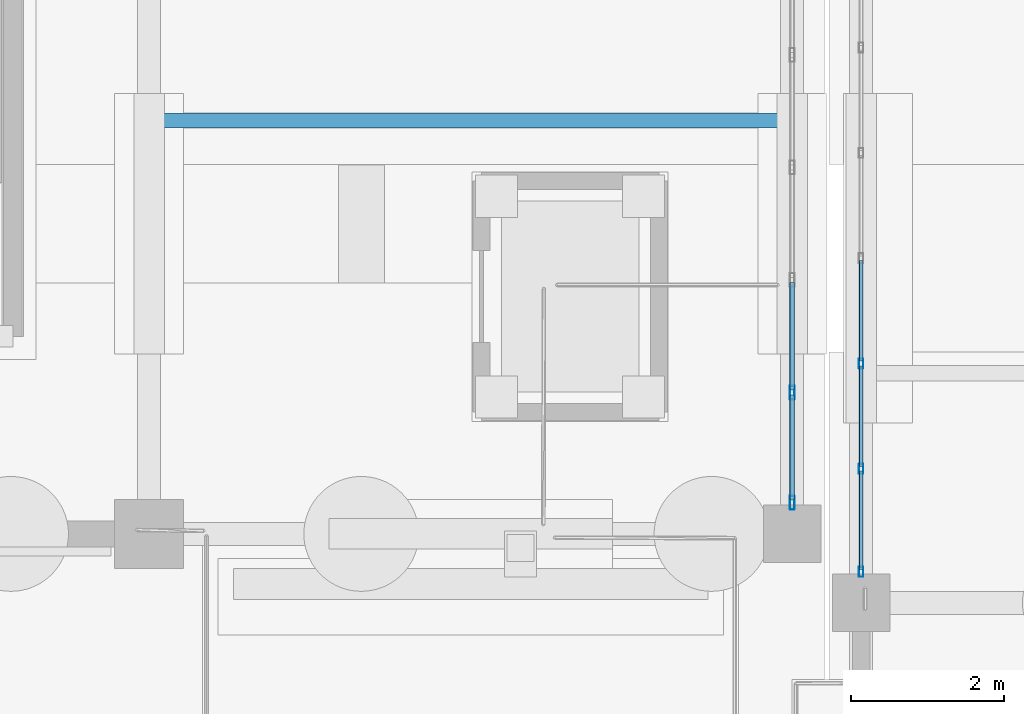
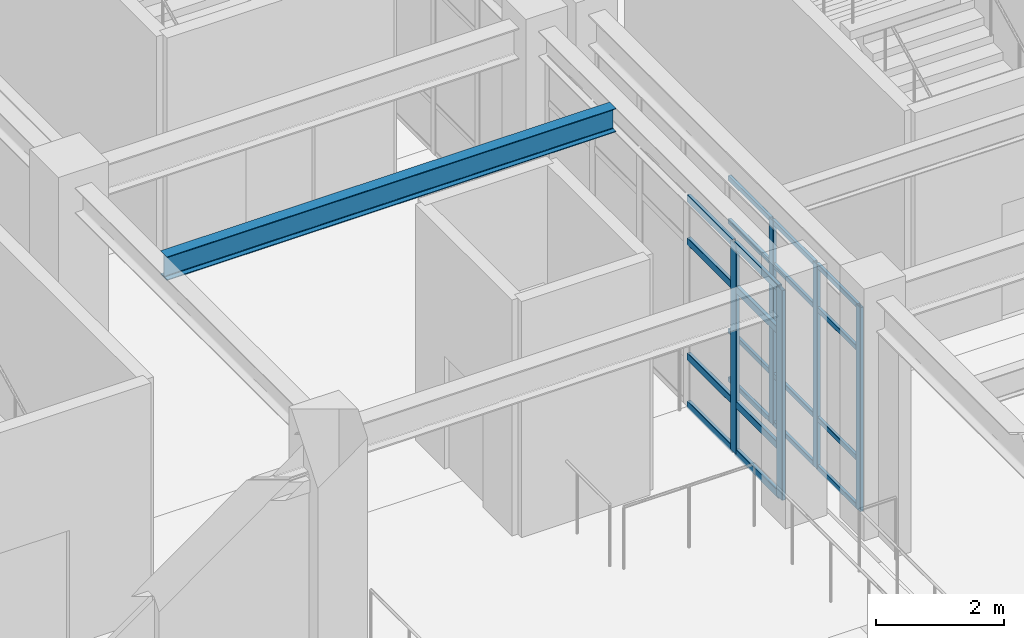
# One storey, part 66 of 139: 25 members, 1 beam, 2 elements without a shape of their own.
"""IFC4 building model written with IfcOpenShell, lengths in metres."""

import ifcopenshell
import ifcopenshell.guid

model = None  # the IFC model being written
_history = None  # IfcOwnerHistory: only IFC2X3 demands one
_inside = {}  # id of a spatial element -> (the spatial element, [elements in it])
_under = {}  # id of a project, library or spatial element -> (it, [spatial elements below it])
_declared = {}  # id of a project -> (the project, [libraries it declares])
_typed = {}  # id of a type object -> (the type object, [elements of that type])
_made_of = {}  # id of a material, layer set ... -> (it, [elements and type objects made of it])


def new_model(schema):
    """Start an empty IFC model of exactly this schema.

    Asked for "IFC4X3", IfcOpenShell would pick the latest addendum, in which some entities
    have other attributes; the version numbers below select the first issue.
    IFC2X3 requires an IfcOwnerHistory on every rooted entity: one is made here for all.
    """
    global model, _history
    if schema == "IFC4X3":
        model = ifcopenshell.file(schema_version=(4, 3, 0, 0))
    else:
        model = ifcopenshell.file(schema=schema)
    _inside.clear()
    _under.clear()
    _declared.clear()
    _typed.clear()
    _made_of.clear()
    _history = None
    if model.schema == "IFC2X3":
        org = make("IfcOrganization", Name="unknown")
        user = make(
            "IfcPersonAndOrganization",
            ThePerson=make("IfcPerson", FamilyName="unknown"),
            TheOrganization=org,
        )
        app = make(
            "IfcApplication",
            ApplicationDeveloper=org,
            Version="unknown",
            ApplicationFullName="unknown",
            ApplicationIdentifier="unknown",
        )
        _history = make(
            "IfcOwnerHistory",
            OwningUser=user,
            OwningApplication=app,
            ChangeAction="ADDED",
            CreationDate=0,
        )
    return model


def make(cls, **values):
    """One entity of the class cls with the attributes given. An attribute that is None is left unset."""
    return model.create_entity(
        cls, **{name: value for name, value in values.items() if value is not None}
    )


def rooted(cls, **values):
    """An entity with a GlobalId (a new one), such as an element, a storey or a relation."""
    return make(cls, GlobalId=ifcopenshell.guid.new(), OwnerHistory=_history, **values)


def si_unit(unit_type, name, prefix=None):
    """IfcSIUnit, for example si_unit("LENGTHUNIT", "METRE", prefix="MILLI")."""
    return make("IfcSIUnit", UnitType=unit_type, Prefix=prefix, Name=name)


def assignment(units):
    """IfcUnitAssignment: the units of a project."""
    return None if units is None else make("IfcUnitAssignment", Units=units)


def point(xyz):
    """IfcCartesianPoint."""
    return None if xyz is None else make("IfcCartesianPoint", Coordinates=xyz)


def direction(xyz):
    """IfcDirection."""
    return None if xyz is None else make("IfcDirection", DirectionRatios=xyz)


def frame(location, z_axis=None, x_axis=None):
    """IfcAxis2Placement3D, a coordinate frame: its origin and axes. An axis left out is left unset."""
    return make(
        "IfcAxis2Placement3D",
        Location=point(location),
        Axis=direction(z_axis),
        RefDirection=direction(x_axis),
    )


def frame_2d(location, x_axis=None):
    """IfcAxis2Placement2D, a coordinate frame in the plane: its origin and x axis."""
    return make(
        "IfcAxis2Placement2D", Location=point(location), RefDirection=direction(x_axis)
    )


def origin():
    """The frame at (0, 0, 0) with its axes left unset."""
    return frame((0.0, 0.0, 0.0))


def origin_2d():
    """The frame at (0, 0) in the plane with its x axis left unset."""
    return frame_2d((0.0, 0.0))


def place(relative_to, where):
    """IfcLocalPlacement: puts the frame where relative to a parent placement (None: the world)."""
    return make(
        "IfcLocalPlacement", PlacementRelTo=relative_to, RelativePlacement=where
    )


def context(
    kind, dimensions, precision=None, world=None, true_north=None, identifier=None
):
    """IfcGeometricRepresentationContext, for example the 3D "Model" context."""
    return make(
        "IfcGeometricRepresentationContext",
        ContextIdentifier=identifier,
        ContextType=kind,
        CoordinateSpaceDimension=dimensions,
        Precision=precision,
        WorldCoordinateSystem=world,
        TrueNorth=true_north,
    )


def subcontext(parent, identifier, kind, view, scale=None):
    """IfcGeometricRepresentationSubContext, for example "Body" below "Model"."""
    return make(
        "IfcGeometricRepresentationSubContext",
        ContextIdentifier=identifier,
        ContextType=kind,
        ParentContext=parent,
        TargetScale=scale,
        TargetView=view,
    )


def project(units=None, contexts=None):
    """IfcProject with its units and contexts."""
    return rooted(
        "IfcProject",
        Name="project",
        RepresentationContexts=contexts,
        UnitsInContext=assignment(units),
    )


def spatial(cls, under=None, at=None, **own):
    """A site, building, storey or space (cls), placed at a placement, below another one or the project."""
    s = rooted(cls, ObjectPlacement=at, **own)
    if under is not None:
        _under.setdefault(under.id(), (under, []))[1].append(s)
    return s


def profile(cls, at=None, kind="AREA", **sizes):
    """A parametric profile (cls). Its sizes go by their IFC names, for example OverallWidth=200.0."""
    return make(cls, ProfileType=kind, Position=at, **sizes)


def hollow_rectangle(**sizes):
    """IfcRectangleHollowProfileDef."""
    return profile("IfcRectangleHollowProfileDef", **sizes)


def i_section(**sizes):
    """IfcIShapeProfileDef."""
    return profile("IfcIShapeProfileDef", **sizes)


def extrude(swept, where, along, depth):
    """IfcExtrudedAreaSolid: the profile swept, set in the frame where, extruded along a direction by depth."""
    return make(
        "IfcExtrudedAreaSolid",
        SweptArea=swept,
        Position=where,
        ExtrudedDirection=direction(along),
        Depth=depth,
    )


def shape(context_of_items, identifier, shape_type, items):
    """IfcShapeRepresentation: the items that make up one representation, for example the "Body"."""
    return make(
        "IfcShapeRepresentation",
        ContextOfItems=context_of_items,
        RepresentationIdentifier=identifier,
        RepresentationType=shape_type,
        Items=items,
    )


def material(Name=None, Category=None):
    """IfcMaterial."""
    return make("IfcMaterial", Name=Name, Category=Category)


def material_profile(
    of_material, cross_section, Name=None, Category=None, Priority=None
):
    """IfcMaterialProfile: a cross section and its material."""
    return make(
        "IfcMaterialProfile",
        Name=Name,
        Material=of_material,
        Profile=cross_section,
        Priority=Priority,
        Category=Category,
    )


def profile_set(profiles, Name=None, composite=None):
    """IfcMaterialProfileSet."""
    return make(
        "IfcMaterialProfileSet",
        Name=Name,
        MaterialProfiles=profiles,
        CompositeProfile=composite,
    )


def made_of(thing, what):
    """Note that an element or type object is made of a material, layer set ...; save() writes the relation."""
    if what is not None:
        _made_of.setdefault(what.id(), (what, []))[1].append(thing)
    return thing


def type_object(cls, material=None, **own):
    """A type object (cls), such as IfcWallType, which elements share."""
    return made_of(rooted(cls, **own), material)


def element(
    cls,
    number,
    at=None,
    inside=None,
    cuts=None,
    type_object=None,
    material=None,
    context=None,
    identifier="Body",
    shape_type=None,
    held_by="IfcProductDefinitionShape",
    body=None,
    shapes=None,
    **own,
):
    """One element of the class cls, such as IfcWall. Its Tag is "e" and its number.

    at: its placement. inside: the storey or other place that contains it. cuts: it is an
    opening in that element (IfcRelVoidsElement). A single representation is given by context,
    identifier, shape_type and body (its items); several are given by shapes. held_by: the class
    of the entity that holds the representations. save() writes the other relations.
    """
    e = rooted(cls, Tag="e%d" % number, ObjectPlacement=at, **own)
    if body is not None:
        shapes = [shape(context, identifier, shape_type, body)]
    if shapes is not None:
        e.Representation = make(held_by, Representations=shapes)
    if inside is not None:
        _inside.setdefault(inside.id(), (inside, []))[1].append(e)
    if cuts is not None:
        rooted(
            "IfcRelVoidsElement", RelatingBuildingElement=cuts, RelatedOpeningElement=e
        )
    if type_object is not None:
        _typed.setdefault(type_object.id(), (type_object, []))[1].append(e)
    return made_of(e, material)


def aggregate(whole, parts):
    """IfcRelAggregates: a whole, such as a stair, and the parts it consists of."""
    return rooted("IfcRelAggregates", RelatingObject=whole, RelatedObjects=parts)


def save(model, path):
    """Write the relations noted so far, then the file.

    IfcRelAggregates (storeys below a building ...), IfcRelContainedInSpatialStructure (elements
    in a storey), IfcRelDefinesByType, IfcRelAssociatesMaterial and IfcRelDeclares: one each for
    every whole, place, type object, material and project.
    """
    for whole, parts in _under.values():
        aggregate(whole, parts)
    for where, things in _inside.values():
        rooted(
            "IfcRelContainedInSpatialStructure",
            RelatedElements=things,
            RelatingStructure=where,
        )
    for kind, things in _typed.values():
        rooted("IfcRelDefinesByType", RelatedObjects=things, RelatingType=kind)
    for what, things in _made_of.values():
        rooted("IfcRelAssociatesMaterial", RelatedObjects=things, RelatingMaterial=what)
    for by, libraries in _declared.values():
        rooted("IfcRelDeclares", RelatingContext=by, RelatedDefinitions=libraries)
    model.write(path)


model = new_model("IFC4")

# Units and contexts
model_context = context("Model", 3, precision=1e-05, world=origin(), true_north=direction((0.0, 1.0)))
body_context = subcontext(model_context, "Body", "Model", "MODEL_VIEW")
ifc_project = project(units=[si_unit("LENGTHUNIT", "METRE"), si_unit("AREAUNIT", "SQUARE_METRE"), si_unit("VOLUMEUNIT", "CUBIC_METRE"), si_unit("PLANEANGLEUNIT", "RADIAN"), si_unit("MASSUNIT", "GRAM", prefix="KILO")], contexts=[model_context])

# Site, building, storey
site_placement = place(None, origin())
site = spatial("IfcSite", under=ifc_project, at=site_placement, CompositionType="ELEMENT")
building_placement = place(site_placement, origin())
building = spatial("IfcBuilding", under=site, at=building_placement, Name="Canglan Escarpment Cableway Terminal", CompositionType="ELEMENT")
storey_placement = place(building_placement, frame((0.0, 0.0, 14.39990234375)))
storey = spatial("IfcBuildingStorey", under=building, at=storey_placement, Name="L03", CompositionType="ELEMENT", Elevation=14.39990234375)

# Curtain wall, members
ifc_material_1 = material(Name="Anodized bronze aluminium and Low-E double glazing", Category="aluminium")
curtain_wall_type_1 = type_object("IfcCurtainWallType", Name="CW-BAY-8250x3900", PredefinedType="NOTDEFINED", material=ifc_material_1)
curtain_wall_1_placement = place(storey_placement, origin())
curtain_wall_1 = element("IfcCurtainWall", 1, at=curtain_wall_1_placement, inside=storey, type_object=curtain_wall_type_1, Name="Classical bay-between-piers glazed curtain wall CW-62", PredefinedType="NOTDEFINED")
ifc_material_2 = material(Name="Thermally broken anodized aluminium 6063-T6", Category="aluminium")
ifc_material_profile_1 = material_profile(ifc_material_2, hollow_rectangle(XDim=0.06005859375, YDim=0.1298828125, WallThickness=0.0029296875, InnerFilletRadius=0.0029296875, OuterFilletRadius=0.006103515625, at=origin_2d()), Name="ALU-MULL 60x130x3")
ifc_profile_set_1 = profile_set([ifc_material_profile_1], Name="Thermally broken anodized aluminium 6063-T6")
member_type_1 = type_object("IfcMemberType", Name="CWM-01", PredefinedType="MULLION", material=ifc_profile_set_1)
member_1_placement = place(storey_placement, frame((137.60009765625, 91.125, 0.0), z_axis=(0.0, 0.0, 1.0), x_axis=(1.0, 0.0, 0.0)))
member_1 = element("IfcMember", 2, at=member_1_placement, type_object=member_type_1, Name="CW-62 mullion 5", PredefinedType="MULLION", context=body_context, shape_type="SweptSolid", body=[
    extrude(hollow_rectangle(XDim=0.06005859375, YDim=0.1298828125, WallThickness=0.0029296875, InnerFilletRadius=0.0029296875, OuterFilletRadius=0.006103515625, at=origin_2d()), origin(), (0.0, 0.0, 1.0), 3.89111328125),
])
member_2_placement = place(storey_placement, frame((137.60009765625, 89.75, 0.0), z_axis=(0.0, 0.0, 1.0), x_axis=(1.0, 0.0, 0.0)))
member_2 = element("IfcMember", 3, at=member_2_placement, type_object=member_type_1, Name="CW-62 mullion 6", PredefinedType="MULLION", context=body_context, shape_type="SweptSolid", body=[
    extrude(hollow_rectangle(XDim=0.06005859375, YDim=0.1298828125, WallThickness=0.0029296875, InnerFilletRadius=0.0029296875, OuterFilletRadius=0.006103515625, at=origin_2d()), origin(), (0.0, 0.0, 1.0), 3.89111328125),
])
member_3_placement = place(storey_placement, frame((137.60009765625, 88.405029296875, 0.0), z_axis=(0.0, 0.0, 1.0), x_axis=(1.0, 0.0, 0.0)))
member_3 = element("IfcMember", 4, at=member_3_placement, type_object=member_type_1, Name="CW-62 mullion 7", PredefinedType="MULLION", context=body_context, shape_type="SweptSolid", body=[
    extrude(hollow_rectangle(XDim=0.06005859375, YDim=0.1298828125, WallThickness=0.0029296875, InnerFilletRadius=0.0029296875, OuterFilletRadius=0.006103515625, at=origin_2d()), origin(), (0.0, 0.0, 1.0), 3.89111328125),
])

curtain_wall_type_2 = type_object("IfcCurtainWallType", Name="CW-BAY-7350x4000", PredefinedType="NOTDEFINED", material=ifc_material_1)
curtain_wall_2_placement = place(storey_placement, origin())
curtain_wall_2 = element("IfcCurtainWall", 5, at=curtain_wall_2_placement, inside=storey, type_object=curtain_wall_type_2, Name="Classical bay-between-piers glazed curtain wall CW-47", PredefinedType="NOTDEFINED")
ifc_material_profile_2 = material_profile(ifc_material_2, hollow_rectangle(XDim=0.06494140625, YDim=0.179931640625, WallThickness=0.00390625, InnerFilletRadius=0.00390625, OuterFilletRadius=0.008056640625, at=origin_2d()), Name="ALU-MULL 65x180x4")
ifc_profile_set_2 = profile_set([ifc_material_profile_2], Name="Thermally broken anodized aluminium 6063-T6")
member_type_2 = type_object("IfcMemberType", Name="CWM-03", PredefinedType="MULLION", material=ifc_profile_set_2)
member_4_placement = place(storey_placement, frame((136.699951171875, 89.3076171875, 0.0), z_axis=(0.0, 0.0, 1.0), x_axis=(-1.0, 0.0, 0.0)))
member_4 = element("IfcMember", 6, at=member_4_placement, type_object=member_type_2, Name="CW-47 mullion 1", PredefinedType="MULLION", context=body_context, shape_type="SweptSolid", body=[
    extrude(hollow_rectangle(XDim=0.06494140625, YDim=0.179931640625, WallThickness=0.00390625, InnerFilletRadius=0.00390625, OuterFilletRadius=0.008056640625, at=origin_2d()), origin(), (0.0, 0.0, 1.0), 3.9970703125),
])
member_5_placement = place(storey_placement, frame((136.699951171875, 90.7451171875, 0.0), z_axis=(0.0, 0.0, 1.0), x_axis=(-1.0, 0.0, 0.0)))
member_5 = element("IfcMember", 7, at=member_5_placement, type_object=member_type_2, Name="CW-47 mullion 2", PredefinedType="MULLION", context=body_context, shape_type="SweptSolid", body=[
    extrude(hollow_rectangle(XDim=0.06494140625, YDim=0.179931640625, WallThickness=0.00390625, InnerFilletRadius=0.00390625, OuterFilletRadius=0.008056640625, at=origin_2d()), origin(), (0.0, 0.0, 1.0), 3.9970703125),
])

# Member
ifc_material_profile_3 = material_profile(ifc_material_2, hollow_rectangle(XDim=0.054931640625, YDim=0.094970703125, WallThickness=0.0029296875, InnerFilletRadius=0.0029296875, OuterFilletRadius=0.006103515625, at=origin_2d()), Name="ALU-TRAN 55x95x3")
ifc_profile_set_3 = profile_set([ifc_material_profile_3], Name="Thermally broken anodized aluminium 6063-T6")
member_type_3 = type_object("IfcMemberType", Name="CWT-01", PredefinedType="USERDEFINED", material=ifc_profile_set_3)
member_6_placement = place(storey_placement, frame((137.60009765625, 92.469970703125, 0.027587890625), z_axis=(0.0, -1.0, 0.0), x_axis=(1.0, 0.0, 0.0)))
member_6 = element("IfcMember", 8, at=member_6_placement, type_object=member_type_3, Name="CW-62 transom 4.1", ObjectType="TRANSOM", PredefinedType="USERDEFINED", context=body_context, shape_type="SweptSolid", body=[
    extrude(hollow_rectangle(XDim=0.054931640625, YDim=0.094970703125, WallThickness=0.0029296875, InnerFilletRadius=0.0029296875, OuterFilletRadius=0.006103515625, at=origin_2d()), origin(), (0.0, 0.0, 1.0), 1.31494140625),
])

member_7_placement = place(storey_placement, frame((137.60009765625, 92.469970703125, 0.9501953125), z_axis=(0.0, -1.0, 0.0), x_axis=(1.0, 0.0, 0.0)))
member_7 = element("IfcMember", 9, at=member_7_placement, type_object=member_type_3, Name="CW-62 transom 4.2", ObjectType="TRANSOM", PredefinedType="USERDEFINED", context=body_context, shape_type="SweptSolid", body=[
    extrude(hollow_rectangle(XDim=0.054931640625, YDim=0.094970703125, WallThickness=0.0029296875, InnerFilletRadius=0.0029296875, OuterFilletRadius=0.006103515625, at=origin_2d()), origin(), (0.0, 0.0, 1.0), 1.31494140625),
])

member_8_placement = place(storey_placement, frame((137.60009765625, 92.469970703125, 3.041015625), z_axis=(0.0, -1.0, 0.0), x_axis=(1.0, 0.0, 0.0)))
member_8 = element("IfcMember", 10, at=member_8_placement, type_object=member_type_3, Name="CW-62 transom 4.3", ObjectType="TRANSOM", PredefinedType="USERDEFINED", context=body_context, shape_type="SweptSolid", body=[
    extrude(hollow_rectangle(XDim=0.054931640625, YDim=0.094970703125, WallThickness=0.0029296875, InnerFilletRadius=0.0029296875, OuterFilletRadius=0.006103515625, at=origin_2d()), origin(), (0.0, 0.0, 1.0), 1.31494140625),
])

member_9_placement = place(storey_placement, frame((137.60009765625, 92.469970703125, 3.863525390625), z_axis=(0.0, -1.0, 0.0), x_axis=(1.0, 0.0, 0.0)))
member_9 = element("IfcMember", 11, at=member_9_placement, type_object=member_type_3, Name="CW-62 transom 4.4", ObjectType="TRANSOM", PredefinedType="USERDEFINED", context=body_context, shape_type="SweptSolid", body=[
    extrude(hollow_rectangle(XDim=0.054931640625, YDim=0.094970703125, WallThickness=0.0029296875, InnerFilletRadius=0.0029296875, OuterFilletRadius=0.006103515625, at=origin_2d()), origin(), (0.0, 0.0, 1.0), 1.31494140625),
])

member_10_placement = place(storey_placement, frame((137.60009765625, 91.094970703125, 0.027587890625), z_axis=(0.0, -1.0, 0.0), x_axis=(1.0, 0.0, 0.0)))
member_10 = element("IfcMember", 12, at=member_10_placement, type_object=member_type_3, Name="CW-62 transom 5.1", ObjectType="TRANSOM", PredefinedType="USERDEFINED", context=body_context, shape_type="SweptSolid", body=[
    extrude(hollow_rectangle(XDim=0.054931640625, YDim=0.094970703125, WallThickness=0.0029296875, InnerFilletRadius=0.0029296875, OuterFilletRadius=0.006103515625, at=origin_2d()), origin(), (0.0, 0.0, 1.0), 1.31494140625),
])

member_11_placement = place(storey_placement, frame((137.60009765625, 91.094970703125, 0.9501953125), z_axis=(0.0, -1.0, 0.0), x_axis=(1.0, 0.0, 0.0)))
member_11 = element("IfcMember", 13, at=member_11_placement, type_object=member_type_3, Name="CW-62 transom 5.2", ObjectType="TRANSOM", PredefinedType="USERDEFINED", context=body_context, shape_type="SweptSolid", body=[
    extrude(hollow_rectangle(XDim=0.054931640625, YDim=0.094970703125, WallThickness=0.0029296875, InnerFilletRadius=0.0029296875, OuterFilletRadius=0.006103515625, at=origin_2d()), origin(), (0.0, 0.0, 1.0), 1.31494140625),
])

member_12_placement = place(storey_placement, frame((137.60009765625, 91.094970703125, 3.041015625), z_axis=(0.0, -1.0, 0.0), x_axis=(1.0, 0.0, 0.0)))
member_12 = element("IfcMember", 14, at=member_12_placement, type_object=member_type_3, Name="CW-62 transom 5.3", ObjectType="TRANSOM", PredefinedType="USERDEFINED", context=body_context, shape_type="SweptSolid", body=[
    extrude(hollow_rectangle(XDim=0.054931640625, YDim=0.094970703125, WallThickness=0.0029296875, InnerFilletRadius=0.0029296875, OuterFilletRadius=0.006103515625, at=origin_2d()), origin(), (0.0, 0.0, 1.0), 1.31494140625),
])

member_13_placement = place(storey_placement, frame((137.60009765625, 91.094970703125, 3.863525390625), z_axis=(0.0, -1.0, 0.0), x_axis=(1.0, 0.0, 0.0)))
member_13 = element("IfcMember", 15, at=member_13_placement, type_object=member_type_3, Name="CW-62 transom 5.4", ObjectType="TRANSOM", PredefinedType="USERDEFINED", context=body_context, shape_type="SweptSolid", body=[
    extrude(hollow_rectangle(XDim=0.054931640625, YDim=0.094970703125, WallThickness=0.0029296875, InnerFilletRadius=0.0029296875, OuterFilletRadius=0.006103515625, at=origin_2d()), origin(), (0.0, 0.0, 1.0), 1.31494140625),
])

member_14_placement = place(storey_placement, frame((137.60009765625, 89.719970703125, 0.027587890625), z_axis=(0.0, -1.0, 0.0), x_axis=(1.0, 0.0, 0.0)))
member_14 = element("IfcMember", 16, at=member_14_placement, type_object=member_type_3, Name="CW-62 transom 6.1", ObjectType="TRANSOM", PredefinedType="USERDEFINED", context=body_context, shape_type="SweptSolid", body=[
    extrude(hollow_rectangle(XDim=0.054931640625, YDim=0.094970703125, WallThickness=0.0029296875, InnerFilletRadius=0.0029296875, OuterFilletRadius=0.006103515625, at=origin_2d()), origin(), (0.0, 0.0, 1.0), 1.284912109375),
])

member_15_placement = place(storey_placement, frame((137.60009765625, 89.719970703125, 0.9501953125), z_axis=(0.0, -1.0, 0.0), x_axis=(1.0, 0.0, 0.0)))
member_15 = element("IfcMember", 17, at=member_15_placement, type_object=member_type_3, Name="CW-62 transom 6.2", ObjectType="TRANSOM", PredefinedType="USERDEFINED", context=body_context, shape_type="SweptSolid", body=[
    extrude(hollow_rectangle(XDim=0.054931640625, YDim=0.094970703125, WallThickness=0.0029296875, InnerFilletRadius=0.0029296875, OuterFilletRadius=0.006103515625, at=origin_2d()), origin(), (0.0, 0.0, 1.0), 1.284912109375),
])

member_16_placement = place(storey_placement, frame((137.60009765625, 89.719970703125, 3.041015625), z_axis=(0.0, -1.0, 0.0), x_axis=(1.0, 0.0, 0.0)))
member_16 = element("IfcMember", 18, at=member_16_placement, type_object=member_type_3, Name="CW-62 transom 6.3", ObjectType="TRANSOM", PredefinedType="USERDEFINED", context=body_context, shape_type="SweptSolid", body=[
    extrude(hollow_rectangle(XDim=0.054931640625, YDim=0.094970703125, WallThickness=0.0029296875, InnerFilletRadius=0.0029296875, OuterFilletRadius=0.006103515625, at=origin_2d()), origin(), (0.0, 0.0, 1.0), 1.284912109375),
])

member_17_placement = place(storey_placement, frame((137.60009765625, 89.719970703125, 3.863525390625), z_axis=(0.0, -1.0, 0.0), x_axis=(1.0, 0.0, 0.0)))
member_17 = element("IfcMember", 19, at=member_17_placement, type_object=member_type_3, Name="CW-62 transom 6.4", ObjectType="TRANSOM", PredefinedType="USERDEFINED", context=body_context, shape_type="SweptSolid", body=[
    extrude(hollow_rectangle(XDim=0.054931640625, YDim=0.094970703125, WallThickness=0.0029296875, InnerFilletRadius=0.0029296875, OuterFilletRadius=0.006103515625, at=origin_2d()), origin(), (0.0, 0.0, 1.0), 1.284912109375),
])

aggregate(curtain_wall_1, [member_1, member_2, member_3, member_6, member_7, member_8, member_9, member_10, member_11, member_12, member_13, member_14, member_15, member_16, member_17])

ifc_material_profile_4 = material_profile(ifc_material_2, hollow_rectangle(XDim=0.06494140625, YDim=0.139892578125, WallThickness=0.00341796875, InnerFilletRadius=0.00341796875, OuterFilletRadius=0.007080078125, at=origin_2d()), Name="ALU-TRAN 65x140x3.5")
ifc_profile_set_4 = profile_set([ifc_material_profile_4], Name="Thermally broken anodized aluminium 6063-T6")
member_type_4 = type_object("IfcMemberType", Name="CWT-03", PredefinedType="USERDEFINED", material=ifc_profile_set_4)
member_18_placement = place(storey_placement, frame((136.699951171875, 89.340087890625, 0.03271484375), z_axis=(0.0, 1.0, 0.0), x_axis=(-1.0, 0.0, 0.0)))
member_18 = element("IfcMember", 20, at=member_18_placement, type_object=member_type_4, Name="CW-47 transom 1.1", ObjectType="TRANSOM", PredefinedType="USERDEFINED", context=body_context, shape_type="SweptSolid", body=[
    extrude(hollow_rectangle(XDim=0.06494140625, YDim=0.139892578125, WallThickness=0.00341796875, InnerFilletRadius=0.00341796875, OuterFilletRadius=0.007080078125, at=origin_2d()), origin(), (0.0, 0.0, 1.0), 1.372314453125),
])

member_19_placement = place(storey_placement, frame((136.699951171875, 89.340087890625, 0.9501953125), z_axis=(0.0, 1.0, 0.0), x_axis=(-1.0, 0.0, 0.0)))
member_19 = element("IfcMember", 21, at=member_19_placement, type_object=member_type_4, Name="CW-47 transom 1.2", ObjectType="TRANSOM", PredefinedType="USERDEFINED", context=body_context, shape_type="SweptSolid", body=[
    extrude(hollow_rectangle(XDim=0.06494140625, YDim=0.139892578125, WallThickness=0.00341796875, InnerFilletRadius=0.00341796875, OuterFilletRadius=0.007080078125, at=origin_2d()), origin(), (0.0, 0.0, 1.0), 1.372314453125),
])

member_20_placement = place(storey_placement, frame((136.699951171875, 89.340087890625, 3.147216796875), z_axis=(0.0, 1.0, 0.0), x_axis=(-1.0, 0.0, 0.0)))
member_20 = element("IfcMember", 22, at=member_20_placement, type_object=member_type_4, Name="CW-47 transom 1.3", ObjectType="TRANSOM", PredefinedType="USERDEFINED", context=body_context, shape_type="SweptSolid", body=[
    extrude(hollow_rectangle(XDim=0.06494140625, YDim=0.139892578125, WallThickness=0.00341796875, InnerFilletRadius=0.00341796875, OuterFilletRadius=0.007080078125, at=origin_2d()), origin(), (0.0, 0.0, 1.0), 1.372314453125),
])

member_21_placement = place(storey_placement, frame((136.699951171875, 89.340087890625, 3.964599609375), z_axis=(0.0, 1.0, 0.0), x_axis=(-1.0, 0.0, 0.0)))
member_21 = element("IfcMember", 23, at=member_21_placement, type_object=member_type_4, Name="CW-47 transom 1.4", ObjectType="TRANSOM", PredefinedType="USERDEFINED", context=body_context, shape_type="SweptSolid", body=[
    extrude(hollow_rectangle(XDim=0.06494140625, YDim=0.139892578125, WallThickness=0.00341796875, InnerFilletRadius=0.00341796875, OuterFilletRadius=0.007080078125, at=origin_2d()), origin(), (0.0, 0.0, 1.0), 1.372314453125),
])

member_22_placement = place(storey_placement, frame((136.699951171875, 90.777587890625, 0.03271484375), z_axis=(0.0, 1.0, 0.0), x_axis=(-1.0, 0.0, 0.0)))
member_22 = element("IfcMember", 24, at=member_22_placement, type_object=member_type_4, Name="CW-47 transom 2.1", ObjectType="TRANSOM", PredefinedType="USERDEFINED", context=body_context, shape_type="SweptSolid", body=[
    extrude(hollow_rectangle(XDim=0.06494140625, YDim=0.139892578125, WallThickness=0.00341796875, InnerFilletRadius=0.00341796875, OuterFilletRadius=0.007080078125, at=origin_2d()), origin(), (0.0, 0.0, 1.0), 1.405029296875),
])

member_23_placement = place(storey_placement, frame((136.699951171875, 90.777587890625, 0.9501953125), z_axis=(0.0, 1.0, 0.0), x_axis=(-1.0, 0.0, 0.0)))
member_23 = element("IfcMember", 25, at=member_23_placement, type_object=member_type_4, Name="CW-47 transom 2.2", ObjectType="TRANSOM", PredefinedType="USERDEFINED", context=body_context, shape_type="SweptSolid", body=[
    extrude(hollow_rectangle(XDim=0.06494140625, YDim=0.139892578125, WallThickness=0.00341796875, InnerFilletRadius=0.00341796875, OuterFilletRadius=0.007080078125, at=origin_2d()), origin(), (0.0, 0.0, 1.0), 1.405029296875),
])

member_24_placement = place(storey_placement, frame((136.699951171875, 90.777587890625, 3.147216796875), z_axis=(0.0, 1.0, 0.0), x_axis=(-1.0, 0.0, 0.0)))
member_24 = element("IfcMember", 26, at=member_24_placement, type_object=member_type_4, Name="CW-47 transom 2.3", ObjectType="TRANSOM", PredefinedType="USERDEFINED", context=body_context, shape_type="SweptSolid", body=[
    extrude(hollow_rectangle(XDim=0.06494140625, YDim=0.139892578125, WallThickness=0.00341796875, InnerFilletRadius=0.00341796875, OuterFilletRadius=0.007080078125, at=origin_2d()), origin(), (0.0, 0.0, 1.0), 1.405029296875),
])

member_25_placement = place(storey_placement, frame((136.699951171875, 90.777587890625, 3.964599609375), z_axis=(0.0, 1.0, 0.0), x_axis=(-1.0, 0.0, 0.0)))
member_25 = element("IfcMember", 27, at=member_25_placement, type_object=member_type_4, Name="CW-47 transom 2.4", ObjectType="TRANSOM", PredefinedType="USERDEFINED", context=body_context, shape_type="SweptSolid", body=[
    extrude(hollow_rectangle(XDim=0.06494140625, YDim=0.139892578125, WallThickness=0.00341796875, InnerFilletRadius=0.00341796875, OuterFilletRadius=0.007080078125, at=origin_2d()), origin(), (0.0, 0.0, 1.0), 1.405029296875),
])

aggregate(curtain_wall_2, [member_4, member_5, member_18, member_19, member_20, member_21, member_22, member_23, member_24, member_25])

# Beam
ifc_material_3 = material(Name="Steel Q355B", Category="steel")
ifc_material_profile_5 = material_profile(ifc_material_3, i_section(OverallWidth=0.199951171875, OverallDepth=0.449951171875, WebThickness=0.009033203125, FlangeThickness=0.013916015625, FilletRadius=0.01806640625, at=origin_2d()), Name="HN 450x200x9x14")
ifc_profile_set_5 = profile_set([ifc_material_profile_5], Name="Steel Q355B")
beam_type = type_object("IfcBeamType", Name="JS-HN450", PredefinedType="JOIST", material=ifc_profile_set_5)
beam_placement = place(storey_placement, frame((128.449951171875, 94.300048828125, 4.275146484375), z_axis=(1.0, 0.0, 0.0), x_axis=(0.0, 1.0, 0.0)))
element("IfcBeam", 28, at=beam_placement, inside=storey, type_object=beam_type, Name="Secondary composite deck joist J-02", PredefinedType="JOIST", context=body_context, shape_type="SweptSolid", body=[
    extrude(i_section(OverallWidth=0.199951171875, OverallDepth=0.449951171875, WebThickness=0.009033203125, FlangeThickness=0.013916015625, FilletRadius=0.01806640625, at=origin_2d()), origin(), (0.0, 0.0, 1.0), 8.10009765625),
])

save(model, "model.ifc")
